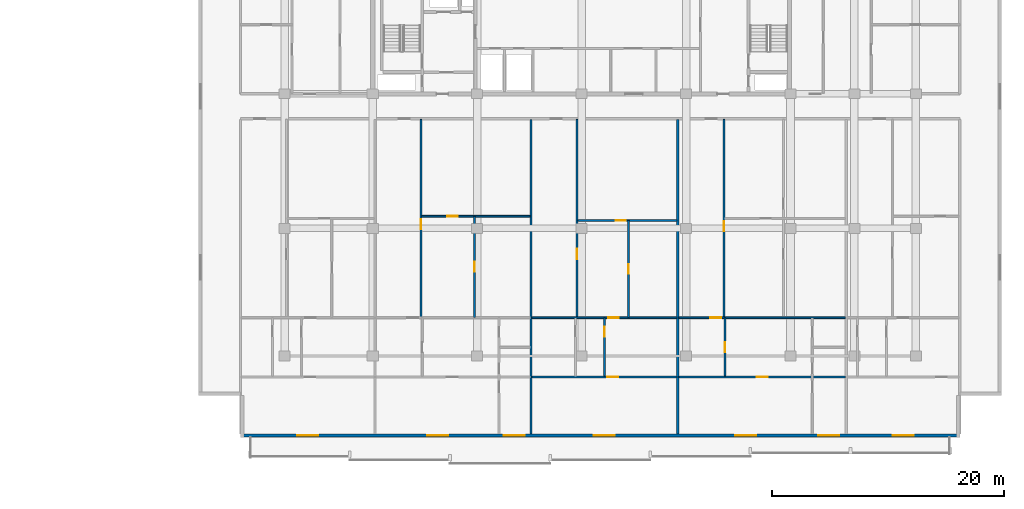
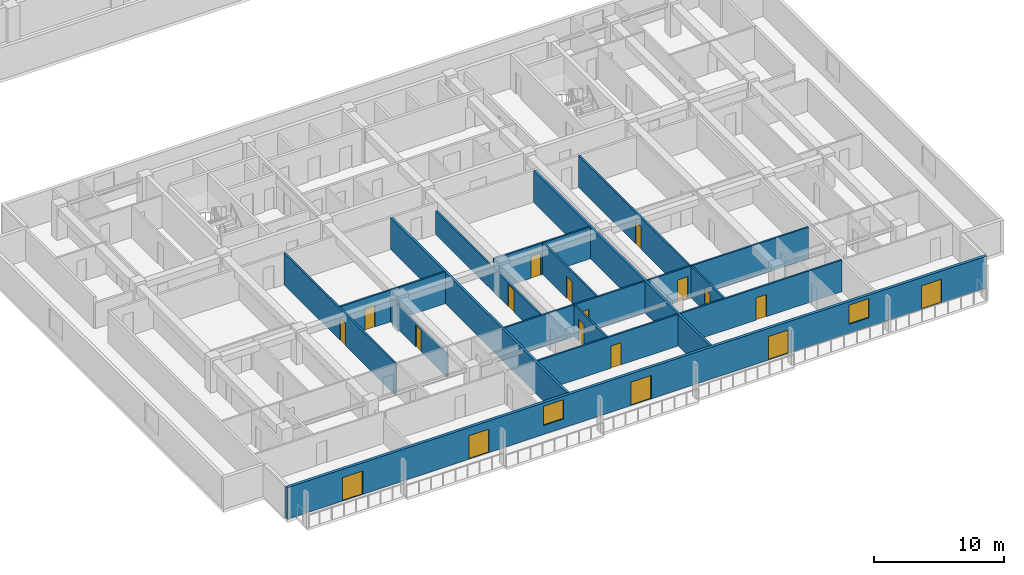
# One storey, part 5 of 24: 18 doors, 16 walls, 2 windows, 20 openings.
"""IFC4 building model written with IfcOpenShell, lengths in metres."""

import ifcopenshell
import ifcopenshell.guid

model = None  # the IFC model being written
_history = None  # IfcOwnerHistory: only IFC2X3 demands one
_inside = {}  # id of a spatial element -> (the spatial element, [elements in it])
_under = {}  # id of a project, library or spatial element -> (it, [spatial elements below it])
_declared = {}  # id of a project -> (the project, [libraries it declares])
_typed = {}  # id of a type object -> (the type object, [elements of that type])
_made_of = {}  # id of a material, layer set ... -> (it, [elements and type objects made of it])


def new_model(schema):
    """Start an empty IFC model of exactly this schema.

    Asked for "IFC4X3", IfcOpenShell would pick the latest addendum, in which some entities
    have other attributes; the version numbers below select the first issue.
    IFC2X3 requires an IfcOwnerHistory on every rooted entity: one is made here for all.
    """
    global model, _history
    if schema == "IFC4X3":
        model = ifcopenshell.file(schema_version=(4, 3, 0, 0))
    else:
        model = ifcopenshell.file(schema=schema)
    _inside.clear()
    _under.clear()
    _declared.clear()
    _typed.clear()
    _made_of.clear()
    _history = None
    if model.schema == "IFC2X3":
        org = make("IfcOrganization", Name="unknown")
        user = make(
            "IfcPersonAndOrganization",
            ThePerson=make("IfcPerson", FamilyName="unknown"),
            TheOrganization=org,
        )
        app = make(
            "IfcApplication",
            ApplicationDeveloper=org,
            Version="unknown",
            ApplicationFullName="unknown",
            ApplicationIdentifier="unknown",
        )
        _history = make(
            "IfcOwnerHistory",
            OwningUser=user,
            OwningApplication=app,
            ChangeAction="ADDED",
            CreationDate=0,
        )
    return model


def make(cls, **values):
    """One entity of the class cls with the attributes given. An attribute that is None is left unset."""
    return model.create_entity(
        cls, **{name: value for name, value in values.items() if value is not None}
    )


def rooted(cls, **values):
    """An entity with a GlobalId (a new one), such as an element, a storey or a relation."""
    return make(cls, GlobalId=ifcopenshell.guid.new(), OwnerHistory=_history, **values)


def si_unit(unit_type, name, prefix=None):
    """IfcSIUnit, for example si_unit("LENGTHUNIT", "METRE", prefix="MILLI")."""
    return make("IfcSIUnit", UnitType=unit_type, Prefix=prefix, Name=name)


def assignment(units):
    """IfcUnitAssignment: the units of a project."""
    return None if units is None else make("IfcUnitAssignment", Units=units)


def point(xyz):
    """IfcCartesianPoint."""
    return None if xyz is None else make("IfcCartesianPoint", Coordinates=xyz)


def direction(xyz):
    """IfcDirection."""
    return None if xyz is None else make("IfcDirection", DirectionRatios=xyz)


def frame(location, z_axis=None, x_axis=None):
    """IfcAxis2Placement3D, a coordinate frame: its origin and axes. An axis left out is left unset."""
    return make(
        "IfcAxis2Placement3D",
        Location=point(location),
        Axis=direction(z_axis),
        RefDirection=direction(x_axis),
    )


def frame_2d(location, x_axis=None):
    """IfcAxis2Placement2D, a coordinate frame in the plane: its origin and x axis."""
    return make(
        "IfcAxis2Placement2D", Location=point(location), RefDirection=direction(x_axis)
    )


def origin():
    """The frame at (0, 0, 0) with its axes left unset."""
    return frame((0.0, 0.0, 0.0))


def place(relative_to, where):
    """IfcLocalPlacement: puts the frame where relative to a parent placement (None: the world)."""
    return make(
        "IfcLocalPlacement", PlacementRelTo=relative_to, RelativePlacement=where
    )


def context(
    kind, dimensions, precision=None, world=None, true_north=None, identifier=None
):
    """IfcGeometricRepresentationContext, for example the 3D "Model" context."""
    return make(
        "IfcGeometricRepresentationContext",
        ContextIdentifier=identifier,
        ContextType=kind,
        CoordinateSpaceDimension=dimensions,
        Precision=precision,
        WorldCoordinateSystem=world,
        TrueNorth=true_north,
    )


def subcontext(parent, identifier, kind, view, scale=None):
    """IfcGeometricRepresentationSubContext, for example "Body" below "Model"."""
    return make(
        "IfcGeometricRepresentationSubContext",
        ContextIdentifier=identifier,
        ContextType=kind,
        ParentContext=parent,
        TargetScale=scale,
        TargetView=view,
    )


def project(units=None, contexts=None):
    """IfcProject with its units and contexts."""
    return rooted(
        "IfcProject",
        Name="project",
        RepresentationContexts=contexts,
        UnitsInContext=assignment(units),
    )


def spatial(cls, under=None, at=None, **own):
    """A site, building, storey or space (cls), placed at a placement, below another one or the project."""
    s = rooted(cls, ObjectPlacement=at, **own)
    if under is not None:
        _under.setdefault(under.id(), (under, []))[1].append(s)
    return s


def profile(cls, at=None, kind="AREA", **sizes):
    """A parametric profile (cls). Its sizes go by their IFC names, for example OverallWidth=200.0."""
    return make(cls, ProfileType=kind, Position=at, **sizes)


def rectangle(**sizes):
    """IfcRectangleProfileDef."""
    return profile("IfcRectangleProfileDef", **sizes)


def extrude(swept, where, along, depth):
    """IfcExtrudedAreaSolid: the profile swept, set in the frame where, extruded along a direction by depth."""
    return make(
        "IfcExtrudedAreaSolid",
        SweptArea=swept,
        Position=where,
        ExtrudedDirection=direction(along),
        Depth=depth,
    )


def shape(context_of_items, identifier, shape_type, items):
    """IfcShapeRepresentation: the items that make up one representation, for example the "Body"."""
    return make(
        "IfcShapeRepresentation",
        ContextOfItems=context_of_items,
        RepresentationIdentifier=identifier,
        RepresentationType=shape_type,
        Items=items,
    )


def material(Name=None, Category=None):
    """IfcMaterial."""
    return make("IfcMaterial", Name=Name, Category=Category)


def layer(
    of_material, thickness, ventilated=None, Name=None, Category=None, Priority=None
):
    """IfcMaterialLayer: one layer of a wall or slab, of a material (None: an air gap)."""
    return make(
        "IfcMaterialLayer",
        Material=of_material,
        LayerThickness=thickness,
        IsVentilated=ventilated,
        Name=Name,
        Category=Category,
        Priority=Priority,
    )


def layer_set(layers, Name=None):
    """IfcMaterialLayerSet."""
    return make("IfcMaterialLayerSet", MaterialLayers=layers, LayerSetName=Name)


def made_of(thing, what):
    """Note that an element or type object is made of a material, layer set ...; save() writes the relation."""
    if what is not None:
        _made_of.setdefault(what.id(), (what, []))[1].append(thing)
    return thing


def type_object(cls, material=None, **own):
    """A type object (cls), such as IfcWallType, which elements share."""
    return made_of(rooted(cls, **own), material)


def element(
    cls,
    number,
    at=None,
    inside=None,
    cuts=None,
    type_object=None,
    material=None,
    context=None,
    identifier="Body",
    shape_type=None,
    held_by="IfcProductDefinitionShape",
    body=None,
    shapes=None,
    **own,
):
    """One element of the class cls, such as IfcWall. Its Tag is "e" and its number.

    at: its placement. inside: the storey or other place that contains it. cuts: it is an
    opening in that element (IfcRelVoidsElement). A single representation is given by context,
    identifier, shape_type and body (its items); several are given by shapes. held_by: the class
    of the entity that holds the representations. save() writes the other relations.
    """
    e = rooted(cls, Tag="e%d" % number, ObjectPlacement=at, **own)
    if body is not None:
        shapes = [shape(context, identifier, shape_type, body)]
    if shapes is not None:
        e.Representation = make(held_by, Representations=shapes)
    if inside is not None:
        _inside.setdefault(inside.id(), (inside, []))[1].append(e)
    if cuts is not None:
        rooted(
            "IfcRelVoidsElement", RelatingBuildingElement=cuts, RelatedOpeningElement=e
        )
    if type_object is not None:
        _typed.setdefault(type_object.id(), (type_object, []))[1].append(e)
    return made_of(e, material)


def fill(opening, filler):
    """IfcRelFillsElement: the door or window that sits in an opening."""
    return rooted(
        "IfcRelFillsElement",
        RelatingOpeningElement=opening,
        RelatedBuildingElement=filler,
    )


def aggregate(whole, parts):
    """IfcRelAggregates: a whole, such as a stair, and the parts it consists of."""
    return rooted("IfcRelAggregates", RelatingObject=whole, RelatedObjects=parts)


def save(model, path):
    """Write the relations noted so far, then the file.

    IfcRelAggregates (storeys below a building ...), IfcRelContainedInSpatialStructure (elements
    in a storey), IfcRelDefinesByType, IfcRelAssociatesMaterial and IfcRelDeclares: one each for
    every whole, place, type object, material and project.
    """
    for whole, parts in _under.values():
        aggregate(whole, parts)
    for where, things in _inside.values():
        rooted(
            "IfcRelContainedInSpatialStructure",
            RelatedElements=things,
            RelatingStructure=where,
        )
    for kind, things in _typed.values():
        rooted("IfcRelDefinesByType", RelatedObjects=things, RelatingType=kind)
    for what, things in _made_of.values():
        rooted("IfcRelAssociatesMaterial", RelatedObjects=things, RelatingMaterial=what)
    for by, libraries in _declared.values():
        rooted("IfcRelDeclares", RelatingContext=by, RelatedDefinitions=libraries)
    model.write(path)


model = new_model("IFC4")

# Units and contexts
model_context = context("Model", 3, precision=1e-05, world=origin(), true_north=direction((0.0, 1.0)))
body_context = subcontext(model_context, "Body", "Model", "MODEL_VIEW")
ifc_project = project(units=[si_unit("LENGTHUNIT", "METRE"), si_unit("AREAUNIT", "SQUARE_METRE"), si_unit("VOLUMEUNIT", "CUBIC_METRE"), si_unit("PLANEANGLEUNIT", "RADIAN"), si_unit("MASSUNIT", "GRAM", prefix="KILO")], contexts=[model_context])

# Site, building, storey
site_placement = place(None, origin())
site = spatial("IfcSite", under=ifc_project, at=site_placement, CompositionType="ELEMENT")
building_placement = place(site_placement, origin())
building = spatial("IfcBuilding", under=site, at=building_placement, Name="Korimba Cascade Residences", CompositionType="ELEMENT")
storey_placement = place(building_placement, frame((0.0, 0.0, 63.0)))
storey = spatial("IfcBuildingStorey", under=building, at=storey_placement, Name="L17", CompositionType="ELEMENT", Elevation=63.0)

# Wall, openings, doors, windows
ifc_material_1 = material(Name="Precast concrete C40/50", Category="concrete")
ifc_layer_1 = layer(ifc_material_1, 0.25)
ifc_layer_set_1 = layer_set([ifc_layer_1], Name="Precast concrete C40/50")
wall_type_1 = type_object("IfcWallType", Name="EW-LOG-250", PredefinedType="STANDARD", material=ifc_layer_set_1)
wall_1_placement = place(storey_placement, frame((70.699951171875, -11.050048828125, 0.0), z_axis=(0.0, 0.0, 1.0), x_axis=(1.0, 0.0, 0.0)))
wall_1 = element("IfcWall", 1, at=wall_1_placement, inside=storey, type_object=wall_type_1, Name="L17 T2 Perimeter Stone Wall E00", PredefinedType="STANDARD", context=body_context, shape_type="SweptSolid", body=[
    extrude(rectangle(XDim=62.0, YDim=0.25, at=frame_2d((31.0, 0.0))), origin(), (0.0, 0.0, 1.0), 2.969970703125),
])
opening_1_placement = place(wall_1_placement, frame((4.894775390625, 0.0, 0.0)))
opening_1 = element("IfcOpeningElement", 2, at=opening_1_placement, cuts=wall_1, Name="Opening D-LG1", PredefinedType="OPENING", context=body_context, shape_type="SweptSolid", body=[
    extrude(rectangle(XDim=1.800048828125, YDim=2.199951171875, at=frame_2d((0.89990234375, 1.10009765625))), frame((0.0, 0.135009765625, 0.0), z_axis=(0.0, -1.0, 0.0), x_axis=(1.0, 0.0, 0.0)), (0.0, 0.0, 1.0), 0.27001953125),
])
opening_2_placement = place(wall_1_placement, frame((16.094970703125, 0.0, 0.0)))
opening_2 = element("IfcOpeningElement", 3, at=opening_2_placement, cuts=wall_1, Name="Opening D-LG1", PredefinedType="OPENING", context=body_context, shape_type="SweptSolid", body=[
    extrude(rectangle(XDim=1.800048828125, YDim=2.199951171875, at=frame_2d((0.89990234375, 1.10009765625))), frame((0.0, 0.135009765625, 0.0), z_axis=(0.0, -1.0, 0.0), x_axis=(1.0, 0.0, 0.0)), (0.0, 0.0, 1.0), 0.27001953125),
])
opening_3_placement = place(wall_1_placement, frame((22.697998046875, 0.0, 0.85009765625)))
opening_3 = element("IfcOpeningElement", 4, at=opening_3_placement, cuts=wall_1, Name="Opening W-02", PredefinedType="OPENING", context=body_context, shape_type="SweptSolid", body=[
    extrude(rectangle(XDim=1.800048828125, YDim=1.800048828125, at=frame_2d((0.89990234375, 0.89990234375))), frame((0.0, 0.135009765625, 0.0), z_axis=(0.0, -1.0, 0.0), x_axis=(1.0, 0.0, 0.0)), (0.0, 0.0, 1.0), 0.27001953125),
])
opening_4_placement = place(wall_1_placement, frame((30.465576171875, 0.0, 0.0)))
opening_4 = element("IfcOpeningElement", 5, at=opening_4_placement, cuts=wall_1, Name="Opening D-LG1", PredefinedType="OPENING", context=body_context, shape_type="SweptSolid", body=[
    extrude(rectangle(XDim=1.800048828125, YDim=2.199951171875, at=frame_2d((0.89990234375, 1.10009765625))), frame((0.0, 0.135009765625, 0.0), z_axis=(0.0, -1.0, 0.0), x_axis=(1.0, 0.0, 0.0)), (0.0, 0.0, 1.0), 0.27001953125),
])
opening_5_placement = place(wall_1_placement, frame((42.6474609375, 0.0, 0.0)))
opening_5 = element("IfcOpeningElement", 6, at=opening_5_placement, cuts=wall_1, Name="Opening D-LG1", PredefinedType="OPENING", context=body_context, shape_type="SweptSolid", body=[
    extrude(rectangle(XDim=1.800048828125, YDim=2.199951171875, at=frame_2d((0.89990234375, 1.10009765625))), frame((0.0, 0.135009765625, 0.0), z_axis=(0.0, -1.0, 0.0), x_axis=(1.0, 0.0, 0.0)), (0.0, 0.0, 1.0), 0.27001953125),
])
opening_6_placement = place(wall_1_placement, frame((49.78515625, 0.0, 0.85009765625)))
opening_6 = element("IfcOpeningElement", 7, at=opening_6_placement, cuts=wall_1, Name="Opening W-02", PredefinedType="OPENING", context=body_context, shape_type="SweptSolid", body=[
    extrude(rectangle(XDim=1.800048828125, YDim=1.800048828125, at=frame_2d((0.89990234375, 0.89990234375))), frame((0.0, 0.135009765625, 0.0), z_axis=(0.0, -1.0, 0.0), x_axis=(1.0, 0.0, 0.0)), (0.0, 0.0, 1.0), 0.27001953125),
])
opening_7_placement = place(wall_1_placement, frame((56.205078125, 0.0, 0.0)))
opening_7 = element("IfcOpeningElement", 8, at=opening_7_placement, cuts=wall_1, Name="Opening D-LG1", PredefinedType="OPENING", context=body_context, shape_type="SweptSolid", body=[
    extrude(rectangle(XDim=1.800048828125, YDim=2.199951171875, at=frame_2d((0.89990234375, 1.10009765625))), frame((0.0, 0.135009765625, 0.0), z_axis=(0.0, -1.0, 0.0), x_axis=(1.0, 0.0, 0.0)), (0.0, 0.0, 1.0), 0.27001953125),
])
ifc_material_2 = material(Name="Glazed Aluminium Loggia Sliding Door", Category="aluminium")
door_type_1 = type_object("IfcDoorType", Name="DR-EXT-LOG", OperationType="NOTDEFINED", PredefinedType="DOOR", material=ifc_material_2)
door_1_placement = place(opening_1_placement, origin())
door_1 = element("IfcDoor", 9, at=door_1_placement, inside=storey, type_object=door_type_1, Name="L17 T2 Loggia Sliding Door 3", OperationType="SLIDING_TO_RIGHT", OverallHeight=2.199951171875, OverallWidth=1.800048828125, PredefinedType="DOOR", context=body_context, shape_type="SweptSolid", body=[
    extrude(rectangle(XDim=1.800048828125, YDim=2.199951171875, at=frame_2d((0.89990234375, 1.10009765625))), frame((0.0, 0.02490234375, 0.0), z_axis=(0.0, -1.0, 0.0), x_axis=(1.0, 0.0, 0.0)), (0.0, 0.0, 1.0), 0.050048828125),
])
fill(opening_1, door_1)
door_2_placement = place(opening_2_placement, origin())
door_2 = element("IfcDoor", 10, at=door_2_placement, inside=storey, type_object=door_type_1, Name="L17 T2 Loggia Sliding Door 4", OperationType="SLIDING_TO_RIGHT", OverallHeight=2.199951171875, OverallWidth=1.800048828125, PredefinedType="DOOR", context=body_context, shape_type="SweptSolid", body=[
    extrude(rectangle(XDim=1.800048828125, YDim=2.199951171875, at=frame_2d((0.89990234375, 1.10009765625))), frame((0.0, 0.02490234375, 0.0), z_axis=(0.0, -1.0, 0.0), x_axis=(1.0, 0.0, 0.0)), (0.0, 0.0, 1.0), 0.050048828125),
])
fill(opening_2, door_2)
door_3_placement = place(opening_4_placement, origin())
door_3 = element("IfcDoor", 11, at=door_3_placement, inside=storey, type_object=door_type_1, Name="L17 T2 Loggia Sliding Door 6", OperationType="SLIDING_TO_RIGHT", OverallHeight=2.199951171875, OverallWidth=1.800048828125, PredefinedType="DOOR", context=body_context, shape_type="SweptSolid", body=[
    extrude(rectangle(XDim=1.800048828125, YDim=2.199951171875, at=frame_2d((0.89990234375, 1.10009765625))), frame((0.0, 0.02490234375, 0.0), z_axis=(0.0, -1.0, 0.0), x_axis=(1.0, 0.0, 0.0)), (0.0, 0.0, 1.0), 0.050048828125),
])
fill(opening_4, door_3)
door_4_placement = place(opening_5_placement, origin())
door_4 = element("IfcDoor", 12, at=door_4_placement, inside=storey, type_object=door_type_1, Name="L17 T2 Loggia Sliding Door 7", OperationType="SLIDING_TO_RIGHT", OverallHeight=2.199951171875, OverallWidth=1.800048828125, PredefinedType="DOOR", context=body_context, shape_type="SweptSolid", body=[
    extrude(rectangle(XDim=1.800048828125, YDim=2.199951171875, at=frame_2d((0.89990234375, 1.10009765625))), frame((0.0, 0.02490234375, 0.0), z_axis=(0.0, -1.0, 0.0), x_axis=(1.0, 0.0, 0.0)), (0.0, 0.0, 1.0), 0.050048828125),
])
fill(opening_5, door_4)
door_5_placement = place(opening_7_placement, origin())
door_5 = element("IfcDoor", 13, at=door_5_placement, inside=storey, type_object=door_type_1, Name="L17 T2 Loggia Sliding Door 9", OperationType="SLIDING_TO_RIGHT", OverallHeight=2.199951171875, OverallWidth=1.800048828125, PredefinedType="DOOR", context=body_context, shape_type="SweptSolid", body=[
    extrude(rectangle(XDim=1.800048828125, YDim=2.199951171875, at=frame_2d((0.89990234375, 1.10009765625))), frame((0.0, 0.02490234375, 0.0), z_axis=(0.0, -1.0, 0.0), x_axis=(1.0, 0.0, 0.0)), (0.0, 0.0, 1.0), 0.050048828125),
])
fill(opening_7, door_5)
ifc_material_3 = material(Name="Double-Glazed Aluminium Window", Category="aluminium")
window_type = type_object("IfcWindowType", Name="WIN-BED-1800", PartitioningType="SINGLE_PANEL", PredefinedType="WINDOW", material=ifc_material_3)
window_1_placement = place(opening_3_placement, origin())
window_1 = element("IfcWindow", 14, at=window_1_placement, inside=storey, type_object=window_type, Name="L17 T2 South Facade Window 5", OverallHeight=1.800048828125, OverallWidth=1.800048828125, PartitioningType="SINGLE_PANEL", PredefinedType="WINDOW", context=body_context, shape_type="SweptSolid", body=[
    extrude(rectangle(XDim=1.800048828125, YDim=1.800048828125, at=frame_2d((0.89990234375, 0.89990234375))), frame((0.0, 0.030029296875, 0.0), z_axis=(0.0, -1.0, 0.0), x_axis=(1.0, 0.0, 0.0)), (0.0, 0.0, 1.0), 0.06005859375),
])
fill(opening_3, window_1)
window_2_placement = place(opening_6_placement, origin())
window_2 = element("IfcWindow", 15, at=window_2_placement, inside=storey, type_object=window_type, Name="L17 T2 South Facade Window 8", OverallHeight=1.800048828125, OverallWidth=1.800048828125, PartitioningType="SINGLE_PANEL", PredefinedType="WINDOW", context=body_context, shape_type="SweptSolid", body=[
    extrude(rectangle(XDim=1.800048828125, YDim=1.800048828125, at=frame_2d((0.89990234375, 0.89990234375))), frame((0.0, 0.030029296875, 0.0), z_axis=(0.0, -1.0, 0.0), x_axis=(1.0, 0.0, 0.0)), (0.0, 0.0, 1.0), 0.06005859375),
])
fill(opening_6, window_2)

# Walls
ifc_layer_2 = layer(ifc_material_1, 0.199951171875)
ifc_layer_set_2 = layer_set([ifc_layer_2], Name="Precast concrete C40/50")
wall_type_2 = type_object("IfcWallType", Name="WAL-IT-200", PredefinedType="PARTITIONING", material=ifc_layer_set_2)
for number, where, z_axis, x_axis, name in (
    (16, (95.736328125, -10.89990234375, 0.0), (0.0, 0.0, 1.0), (0.0, 1.0, 0.0), "L17 Partition Wall WAL-L17-T2-DEM-2"),
    (17, (108.39501953125, -10.89990234375, 0.0), (0.0, 0.0, 1.0), (0.0, 1.0, 0.0), "L17 Partition Wall WAL-L17-T2-DEM-3"),
):
    element("IfcWall", number, at=place(storey_placement, frame(where, z_axis=z_axis, x_axis=x_axis)), inside=storey, type_object=wall_type_2, Name=name, PredefinedType="PARTITIONING", context=body_context, shape_type="SweptSolid", body=[
        extrude(rectangle(XDim=27.06982421875, YDim=0.199951171875, at=frame_2d((13.534912109375, 0.0))), origin(), (0.0, 0.0, 1.0), 2.969970703125),
    ])

# Wall, opening, door
ifc_material_4 = material(Name="Insulated Acoustic Stud Partition", Category="gypsum")
ifc_layer_3 = layer(ifc_material_4, 0.14990234375)
ifc_layer_set_3 = layer_set([ifc_layer_3], Name="Insulated Acoustic Stud Partition")
wall_type_3 = type_object("IfcWallType", Name="WAL-PART-150", PredefinedType="PARTITIONING", material=ifc_layer_set_3)
wall_2_placement = place(storey_placement, frame((90.867919921875, -0.860107421875, 0.0), z_axis=(0.0, 0.0, 1.0), x_axis=(0.0, 1.0, 0.0)))
wall_2 = element("IfcWall", 18, at=wall_2_placement, inside=storey, type_object=wall_type_3, Name="L17 Partition Wall WAL-L17-T2-U02-FMV", PredefinedType="PARTITIONING", context=body_context, shape_type="SweptSolid", body=[
    extrude(rectangle(XDim=8.705078125, YDim=0.14990234375, at=frame_2d((4.3525390625, 0.0))), origin(), (0.0, 0.0, 1.0), 2.219970703125),
])
opening_8_placement = place(wall_2_placement, frame((3.9326171875, 0.0, 0.0)))
opening_8 = element("IfcOpeningElement", 19, at=opening_8_placement, cuts=wall_2, Name="Opening D-BT1", PredefinedType="OPENING", context=body_context, shape_type="SweptSolid", body=[
    extrude(rectangle(XDim=0.840087890625, YDim=2.0400390625, at=frame_2d((0.419921875, 1.02001953125))), frame((0.0, 0.0849609375, 0.0), z_axis=(0.0, -1.0, 0.0), x_axis=(1.0, 0.0, 0.0)), (0.0, 0.0, 1.0), 0.169921875),
])
ifc_material_5 = material(Name="Moisture-Resistant Bathroom Timber Door", Category="wood")
door_type_2 = type_object("IfcDoorType", Name="DR-INT-850", OperationType="NOTDEFINED", PredefinedType="DOOR", material=ifc_material_5)
door_6_placement = place(opening_8_placement, origin())
door_6 = element("IfcDoor", 20, at=door_6_placement, inside=storey, type_object=door_type_2, Name="L17-T2-U02 Wardrobe Door", OperationType="SINGLE_SWING_LEFT", OverallHeight=2.0400390625, OverallWidth=0.840087890625, PredefinedType="DOOR", context=body_context, shape_type="SweptSolid", body=[
    extrude(rectangle(XDim=0.840087890625, YDim=2.0400390625, at=frame_2d((0.419921875, 1.02001953125))), frame((0.0, 0.02490234375, 0.0), z_axis=(0.0, -1.0, 0.0), x_axis=(1.0, 0.0, 0.0)), (0.0, 0.0, 1.0), 0.050048828125),
])
fill(opening_8, door_6)

wall_3_placement = place(storey_placement, frame((86.319580078125, 7.844970703125, 0.0), z_axis=(0.0, 0.0, 1.0), x_axis=(1.0, 0.0, 0.0)))
wall_3 = element("IfcWall", 21, at=wall_3_placement, inside=storey, type_object=wall_type_3, Name="L17 Partition Wall WAL-L17-T2-U02-FMH", PredefinedType="PARTITIONING", context=body_context, shape_type="SweptSolid", body=[
    extrude(rectangle(XDim=9.336669921875, YDim=0.14990234375, at=frame_2d((4.66845703125, 0.0))), origin(), (0.0, 0.0, 1.0), 2.969970703125),
])
opening_9_placement = place(wall_3_placement, frame((2.208984375, 0.0, 0.0)))
opening_9 = element("IfcOpeningElement", 22, at=opening_9_placement, cuts=wall_3, Name="Opening D-IN2", PredefinedType="OPENING", context=body_context, shape_type="SweptSolid", body=[
    extrude(rectangle(XDim=0.8798828125, YDim=2.06005859375, at=frame_2d((0.43994140625, 1.030029296875))), frame((0.0, 0.0849609375, 0.0), z_axis=(0.0, -1.0, 0.0), x_axis=(1.0, 0.0, 0.0)), (0.0, 0.0, 1.0), 0.169921875),
])
ifc_material_6 = material(Name="Acoustic Timber Bedroom Door", Category="wood")
door_type_3 = type_object("IfcDoorType", Name="DR-INT-880", OperationType="NOTDEFINED", PredefinedType="DOOR", material=ifc_material_6)
door_7_placement = place(opening_9_placement, origin())
door_7 = element("IfcDoor", 23, at=door_7_placement, inside=storey, type_object=door_type_3, Name="L17-T2-U02 Library Salon Door", OperationType="SINGLE_SWING_RIGHT", OverallHeight=2.06005859375, OverallWidth=0.8798828125, PredefinedType="DOOR", context=body_context, shape_type="SweptSolid", body=[
    extrude(rectangle(XDim=0.8798828125, YDim=2.06005859375, at=frame_2d((0.43994140625, 1.030029296875))), frame((0.0, 0.02490234375, 0.0), z_axis=(0.0, -1.0, 0.0), x_axis=(1.0, 0.0, 0.0)), (0.0, 0.0, 1.0), 0.050048828125),
])
fill(opening_9, door_7)

wall_4_placement = place(storey_placement, frame((86.259765625, -0.860107421875, 0.0), z_axis=(0.0, 0.0, 1.0), x_axis=(0.0, 1.0, 0.0)))
wall_4 = element("IfcWall", 24, at=wall_4_placement, inside=storey, type_object=wall_type_3, Name="L17 Partition Wall WAL-L17-T2-U02-FV", PredefinedType="PARTITIONING", context=body_context, shape_type="SweptSolid", body=[
    extrude(rectangle(XDim=17.050048828125, YDim=0.14990234375, at=frame_2d((8.52490234375, 0.0))), origin(), (0.0, 0.0, 1.0), 2.969970703125),
])
opening_10_placement = place(wall_4_placement, frame((7.574951171875, 0.0, 0.0)))
opening_10 = element("IfcOpeningElement", 25, at=opening_10_placement, cuts=wall_4, Name="Opening D-IN2", PredefinedType="OPENING", context=body_context, shape_type="SweptSolid", body=[
    extrude(rectangle(XDim=0.8798828125, YDim=2.06005859375, at=frame_2d((0.43994140625, 1.030029296875))), frame((0.0, 0.0849609375, 0.0), z_axis=(0.0, -1.0, 0.0), x_axis=(1.0, 0.0, 0.0)), (0.0, 0.0, 1.0), 0.169921875),
])
door_8_placement = place(opening_10_placement, origin())
door_8 = element("IfcDoor", 26, at=door_8_placement, inside=storey, type_object=door_type_3, Name="L17-T2-U02 Media Lounge Door", OperationType="SINGLE_SWING_LEFT", OverallHeight=2.06005859375, OverallWidth=0.8798828125, PredefinedType="DOOR", context=body_context, shape_type="SweptSolid", body=[
    extrude(rectangle(XDim=0.8798828125, YDim=2.06005859375, at=frame_2d((0.43994140625, 1.030029296875))), frame((0.0, 0.02490234375, 0.0), z_axis=(0.0, -1.0, 0.0), x_axis=(1.0, 0.0, 0.0)), (0.0, 0.0, 1.0), 0.050048828125),
])
fill(opening_10, door_8)

wall_5_placement = place(storey_placement, frame((104.140625, -0.860107421875, 0.0), z_axis=(0.0, 0.0, 1.0), x_axis=(0.0, 1.0, 0.0)))
wall_5 = element("IfcWall", 27, at=wall_5_placement, inside=storey, type_object=wall_type_3, Name="L17 Partition Wall WAL-L17-T2-U03-FMV", PredefinedType="PARTITIONING", context=body_context, shape_type="SweptSolid", body=[
    extrude(rectangle(XDim=8.34521484375, YDim=0.14990234375, at=frame_2d((4.172607421875, 0.0))), origin(), (0.0, 0.0, 1.0), 2.969970703125),
])
opening_11_placement = place(wall_5_placement, frame((3.75244140625, 0.0, 0.0)))
opening_11 = element("IfcOpeningElement", 28, at=opening_11_placement, cuts=wall_5, Name="Opening D-BT1", PredefinedType="OPENING", context=body_context, shape_type="SweptSolid", body=[
    extrude(rectangle(XDim=0.840087890625, YDim=2.0400390625, at=frame_2d((0.419921875, 1.02001953125))), frame((0.0, 0.0849609375, 0.0), z_axis=(0.0, -1.0, 0.0), x_axis=(1.0, 0.0, 0.0)), (0.0, 0.0, 1.0), 0.169921875),
])
door_9_placement = place(opening_11_placement, origin())
door_9 = element("IfcDoor", 29, at=door_9_placement, inside=storey, type_object=door_type_2, Name="L17-T2-U03 Wardrobe Door", OperationType="SINGLE_SWING_RIGHT", OverallHeight=2.0400390625, OverallWidth=0.840087890625, PredefinedType="DOOR", context=body_context, shape_type="SweptSolid", body=[
    extrude(rectangle(XDim=0.840087890625, YDim=2.0400390625, at=frame_2d((0.419921875, 1.02001953125))), frame((0.0, 0.02490234375, 0.0), z_axis=(0.0, -1.0, 0.0), x_axis=(1.0, 0.0, 0.0)), (0.0, 0.0, 1.0), 0.050048828125),
])
fill(opening_11, door_9)

wall_6_placement = place(storey_placement, frame((99.766357421875, 7.485107421875, 0.0), z_axis=(0.0, 0.0, 1.0), x_axis=(1.0, 0.0, 0.0)))
wall_6 = element("IfcWall", 30, at=wall_6_placement, inside=storey, type_object=wall_type_3, Name="L17 Partition Wall WAL-L17-T2-U03-FMH", PredefinedType="PARTITIONING", context=body_context, shape_type="SweptSolid", body=[
    extrude(rectangle(XDim=8.548583984375, YDim=0.14990234375, at=frame_2d((4.2744140625, 0.0))), origin(), (0.0, 0.0, 1.0), 2.969970703125),
])
opening_12_placement = place(wall_6_placement, frame((3.2744140625, 0.0, 0.0)))
opening_12 = element("IfcOpeningElement", 31, at=opening_12_placement, cuts=wall_6, Name="Opening D-IN2", PredefinedType="OPENING", context=body_context, shape_type="SweptSolid", body=[
    extrude(rectangle(XDim=0.8798828125, YDim=2.06005859375, at=frame_2d((0.43994140625, 1.030029296875))), frame((0.0, 0.0849609375, 0.0), z_axis=(0.0, -1.0, 0.0), x_axis=(1.0, 0.0, 0.0)), (0.0, 0.0, 1.0), 0.169921875),
])
door_10_placement = place(opening_12_placement, origin())
door_10 = element("IfcDoor", 32, at=door_10_placement, inside=storey, type_object=door_type_3, Name="L17-T2-U03 Library Salon Door", OperationType="SINGLE_SWING_LEFT", OverallHeight=2.06005859375, OverallWidth=0.8798828125, PredefinedType="DOOR", context=body_context, shape_type="SweptSolid", body=[
    extrude(rectangle(XDim=0.8798828125, YDim=2.06005859375, at=frame_2d((0.43994140625, 1.030029296875))), frame((0.0, 0.02490234375, 0.0), z_axis=(0.0, -1.0, 0.0), x_axis=(1.0, 0.0, 0.0)), (0.0, 0.0, 1.0), 0.050048828125),
])
fill(opening_12, door_10)

wall_7_placement = place(storey_placement, frame((99.706298828125, -0.860107421875, 0.0), z_axis=(0.0, 0.0, 1.0), x_axis=(0.0, 1.0, 0.0)))
wall_7 = element("IfcWall", 33, at=wall_7_placement, inside=storey, type_object=wall_type_3, Name="L17 Partition Wall WAL-L17-T2-U03-FV", PredefinedType="PARTITIONING", context=body_context, shape_type="SweptSolid", body=[
    extrude(rectangle(XDim=17.050048828125, YDim=0.14990234375, at=frame_2d((8.52490234375, 0.0))), origin(), (0.0, 0.0, 1.0), 2.219970703125),
])
opening_13_placement = place(wall_7_placement, frame((5.018310546875, 0.0, 0.0)))
opening_13 = element("IfcOpeningElement", 34, at=opening_13_placement, cuts=wall_7, Name="Opening D-IN2", PredefinedType="OPENING", context=body_context, shape_type="SweptSolid", body=[
    extrude(rectangle(XDim=0.8798828125, YDim=2.06005859375, at=frame_2d((0.43994140625, 1.030029296875))), frame((0.0, 0.0849609375, 0.0), z_axis=(0.0, -1.0, 0.0), x_axis=(1.0, 0.0, 0.0)), (0.0, 0.0, 1.0), 0.169921875),
])
door_11_placement = place(opening_13_placement, origin())
door_11 = element("IfcDoor", 35, at=door_11_placement, inside=storey, type_object=door_type_3, Name="L17-T2-U03 Media Lounge Door", OperationType="SINGLE_SWING_RIGHT", OverallHeight=2.06005859375, OverallWidth=0.8798828125, PredefinedType="DOOR", context=body_context, shape_type="SweptSolid", body=[
    extrude(rectangle(XDim=0.8798828125, YDim=2.06005859375, at=frame_2d((0.43994140625, 1.030029296875))), frame((0.0, 0.02490234375, 0.0), z_axis=(0.0, -1.0, 0.0), x_axis=(1.0, 0.0, 0.0)), (0.0, 0.0, 1.0), 0.050048828125),
])
fill(opening_13, door_11)

wall_8_placement = place(storey_placement, frame((102.074951171875, -5.93994140625, 0.0), z_axis=(0.0, 0.0, 1.0), x_axis=(0.0, 1.0, 0.0)))
wall_8 = element("IfcWall", 36, at=wall_8_placement, inside=storey, type_object=wall_type_3, Name="L17 Partition Wall WAL-L17-T2-U03-BM", PredefinedType="PARTITIONING", context=body_context, shape_type="SweptSolid", body=[
    extrude(rectangle(XDim=5.0, YDim=0.14990234375, at=frame_2d((2.5, 0.0))), origin(), (0.0, 0.0, 1.0), 2.969970703125),
])
opening_14_placement = place(wall_8_placement, frame((3.424072265625, 0.0, 0.0)))
opening_14 = element("IfcOpeningElement", 37, at=opening_14_placement, cuts=wall_8, Name="Opening D-BT1", PredefinedType="OPENING", context=body_context, shape_type="SweptSolid", body=[
    extrude(rectangle(XDim=0.840087890625, YDim=2.0400390625, at=frame_2d((0.419921875, 1.02001953125))), frame((0.0, 0.0849609375, 0.0), z_axis=(0.0, -1.0, 0.0), x_axis=(1.0, 0.0, 0.0)), (0.0, 0.0, 1.0), 0.169921875),
])
door_12_placement = place(opening_14_placement, origin())
door_12 = element("IfcDoor", 38, at=door_12_placement, inside=storey, type_object=door_type_2, Name="L17-T2-U03 Bathroom Door", OperationType="SINGLE_SWING_RIGHT", OverallHeight=2.0400390625, OverallWidth=0.840087890625, PredefinedType="DOOR", context=body_context, shape_type="SweptSolid", body=[
    extrude(rectangle(XDim=0.840087890625, YDim=2.0400390625, at=frame_2d((0.419921875, 1.02001953125))), frame((0.0, 0.02490234375, 0.0), z_axis=(0.0, -1.0, 0.0), x_axis=(1.0, 0.0, 0.0)), (0.0, 0.0, 1.0), 0.050048828125),
])
fill(opening_14, door_12)

wall_9_placement = place(storey_placement, frame((95.81640625, -0.89990234375, 0.0), z_axis=(0.0, 0.0, 1.0), x_axis=(1.0, 0.0, 0.0)))
wall_9 = element("IfcWall", 39, at=wall_9_placement, inside=storey, type_object=wall_type_3, Name="L17 Partition Wall WAL-L17-T2-U03-MW", PredefinedType="PARTITIONING", context=body_context, shape_type="SweptSolid", body=[
    extrude(rectangle(XDim=12.49853515625, YDim=0.14990234375, at=frame_2d((6.249267578125, 0.0))), origin(), (0.0, 0.0, 1.0), 2.969970703125),
])
opening_15_placement = place(wall_9_placement, frame((6.57470703125, 0.0, 0.0)))
opening_15 = element("IfcOpeningElement", 40, at=opening_15_placement, cuts=wall_9, Name="Opening D-IN1", PredefinedType="OPENING", context=body_context, shape_type="SweptSolid", body=[
    extrude(rectangle(XDim=0.919921875, YDim=2.080078125, at=frame_2d((0.4599609375, 1.0400390625))), frame((0.0, 0.0849609375, 0.0), z_axis=(0.0, -1.0, 0.0), x_axis=(1.0, 0.0, 0.0)), (0.0, 0.0, 1.0), 0.169921875),
])
ifc_material_7 = material(Name="Acoustic Timber Living Door", Category="wood")
door_type_4 = type_object("IfcDoorType", Name="DR-INT-920", OperationType="NOTDEFINED", PredefinedType="DOOR", material=ifc_material_7)
door_13_placement = place(opening_15_placement, origin())
door_13 = element("IfcDoor", 41, at=door_13_placement, inside=storey, type_object=door_type_4, Name="L17-T2-U03 Studio Kitchen Door", OperationType="SINGLE_SWING_LEFT", OverallHeight=2.080078125, OverallWidth=0.919921875, PredefinedType="DOOR", context=body_context, shape_type="SweptSolid", body=[
    extrude(rectangle(XDim=0.919921875, YDim=2.080078125, at=frame_2d((0.4599609375, 1.0400390625))), frame((0.0, 0.02490234375, 0.0), z_axis=(0.0, -1.0, 0.0), x_axis=(1.0, 0.0, 0.0)), (0.0, 0.0, 1.0), 0.050048828125),
])
fill(opening_15, door_13)

wall_10_placement = place(storey_placement, frame((95.81640625, -6.0, 0.0), z_axis=(0.0, 0.0, 1.0), x_axis=(1.0, 0.0, 0.0)))
wall_10 = element("IfcWall", 42, at=wall_10_placement, inside=storey, type_object=wall_type_3, Name="L17 Partition Wall WAL-L17-T2-U03-HZ", PredefinedType="PARTITIONING", context=body_context, shape_type="SweptSolid", body=[
    extrude(rectangle(XDim=12.49853515625, YDim=0.14990234375, at=frame_2d((6.249267578125, 0.0))), origin(), (0.0, 0.0, 1.0), 2.969970703125),
])
opening_16_placement = place(wall_10_placement, frame((6.508544921875, 0.0, 0.0)))
opening_16 = element("IfcOpeningElement", 43, at=opening_16_placement, cuts=wall_10, Name="Opening D-IN1", PredefinedType="OPENING", context=body_context, shape_type="SweptSolid", body=[
    extrude(rectangle(XDim=0.919921875, YDim=2.080078125, at=frame_2d((0.4599609375, 1.0400390625))), frame((0.0, 0.0849609375, 0.0), z_axis=(0.0, -1.0, 0.0), x_axis=(1.0, 0.0, 0.0)), (0.0, 0.0, 1.0), 0.169921875),
])
door_14_placement = place(opening_16_placement, origin())
door_14 = element("IfcDoor", 44, at=door_14_placement, inside=storey, type_object=door_type_4, Name="L17-T2-U03 Studio Door", OperationType="SINGLE_SWING_RIGHT", OverallHeight=2.080078125, OverallWidth=0.919921875, PredefinedType="DOOR", context=body_context, shape_type="SweptSolid", body=[
    extrude(rectangle(XDim=0.919921875, YDim=2.080078125, at=frame_2d((0.4599609375, 1.0400390625))), frame((0.0, 0.02490234375, 0.0), z_axis=(0.0, -1.0, 0.0), x_axis=(1.0, 0.0, 0.0)), (0.0, 0.0, 1.0), 0.050048828125),
])
fill(opening_16, door_14)

wall_11_placement = place(storey_placement, frame((112.364990234375, -0.860107421875, 0.0), z_axis=(0.0, 0.0, 1.0), x_axis=(0.0, 1.0, 0.0)))
wall_11 = element("IfcWall", 45, at=wall_11_placement, inside=storey, type_object=wall_type_3, Name="L17 Partition Wall WAL-L17-T2-U04-FV", PredefinedType="PARTITIONING", context=body_context, shape_type="SweptSolid", body=[
    extrude(rectangle(XDim=17.050048828125, YDim=0.14990234375, at=frame_2d((8.52490234375, 0.0))), origin(), (0.0, 0.0, 1.0), 2.969970703125),
])
opening_17_placement = place(wall_11_placement, frame((7.39501953125, 0.0, 0.0)))
opening_17 = element("IfcOpeningElement", 46, at=opening_17_placement, cuts=wall_11, Name="Opening D-IN2", PredefinedType="OPENING", context=body_context, shape_type="SweptSolid", body=[
    extrude(rectangle(XDim=0.8798828125, YDim=2.06005859375, at=frame_2d((0.43994140625, 1.030029296875))), frame((0.0, 0.0849609375, 0.0), z_axis=(0.0, -1.0, 0.0), x_axis=(1.0, 0.0, 0.0)), (0.0, 0.0, 1.0), 0.169921875),
])
door_15_placement = place(opening_17_placement, origin())
door_15 = element("IfcDoor", 47, at=door_15_placement, inside=storey, type_object=door_type_3, Name="L17-T2-U04 Media Lounge Door", OperationType="SINGLE_SWING_RIGHT", OverallHeight=2.06005859375, OverallWidth=0.8798828125, PredefinedType="DOOR", context=body_context, shape_type="SweptSolid", body=[
    extrude(rectangle(XDim=0.8798828125, YDim=2.06005859375, at=frame_2d((0.43994140625, 1.030029296875))), frame((0.0, 0.02490234375, 0.0), z_axis=(0.0, -1.0, 0.0), x_axis=(1.0, 0.0, 0.0)), (0.0, 0.0, 1.0), 0.050048828125),
])
fill(opening_17, door_15)

wall_12_placement = place(storey_placement, frame((112.46484375, -5.93994140625, 0.0), z_axis=(0.0, 0.0, 1.0), x_axis=(0.0, 1.0, 0.0)))
wall_12 = element("IfcWall", 48, at=wall_12_placement, inside=storey, type_object=wall_type_3, Name="L17 Partition Wall WAL-L17-T2-U04-VDIN", PredefinedType="PARTITIONING", context=body_context, shape_type="SweptSolid", body=[
    extrude(rectangle(XDim=5.0, YDim=0.14990234375, at=frame_2d((2.5, 0.0))), origin(), (0.0, 0.0, 1.0), 2.969970703125),
])
opening_18_placement = place(wall_12_placement, frame((2.06005859375, 0.0, 0.0)))
opening_18 = element("IfcOpeningElement", 49, at=opening_18_placement, cuts=wall_12, Name="Opening D-IN2", PredefinedType="OPENING", context=body_context, shape_type="SweptSolid", body=[
    extrude(rectangle(XDim=0.8798828125, YDim=2.06005859375, at=frame_2d((0.43994140625, 1.030029296875))), frame((0.0, 0.0849609375, 0.0), z_axis=(0.0, -1.0, 0.0), x_axis=(1.0, 0.0, 0.0)), (0.0, 0.0, 1.0), 0.169921875),
])
door_16_placement = place(opening_18_placement, origin())
door_16 = element("IfcDoor", 50, at=door_16_placement, inside=storey, type_object=door_type_3, Name="L17-T2-U04 Dining Room Door", OperationType="SINGLE_SWING_LEFT", OverallHeight=2.06005859375, OverallWidth=0.8798828125, PredefinedType="DOOR", context=body_context, shape_type="SweptSolid", body=[
    extrude(rectangle(XDim=0.8798828125, YDim=2.06005859375, at=frame_2d((0.43994140625, 1.030029296875))), frame((0.0, 0.02490234375, 0.0), z_axis=(0.0, -1.0, 0.0), x_axis=(1.0, 0.0, 0.0)), (0.0, 0.0, 1.0), 0.050048828125),
])
fill(opening_18, door_16)

wall_13_placement = place(storey_placement, frame((108.474853515625, -0.89990234375, 0.0), z_axis=(0.0, 0.0, 1.0), x_axis=(1.0, 0.0, 0.0)))
wall_13 = element("IfcWall", 51, at=wall_13_placement, inside=storey, type_object=wall_type_3, Name="L17 Partition Wall WAL-L17-T2-U04-MW", PredefinedType="PARTITIONING", context=body_context, shape_type="SweptSolid", body=[
    extrude(rectangle(XDim=14.35546875, YDim=0.14990234375, at=frame_2d((7.177734375, 0.0))), origin(), (0.0, 0.0, 1.0), 2.969970703125),
])
opening_19_placement = place(wall_13_placement, frame((2.719970703125, 0.0, 0.0)))
opening_19 = element("IfcOpeningElement", 52, at=opening_19_placement, cuts=wall_13, Name="Opening D-IN1", PredefinedType="OPENING", context=body_context, shape_type="SweptSolid", body=[
    extrude(rectangle(XDim=0.919921875, YDim=2.080078125, at=frame_2d((0.4599609375, 1.0400390625))), frame((0.0, 0.0849609375, 0.0), z_axis=(0.0, -1.0, 0.0), x_axis=(1.0, 0.0, 0.0)), (0.0, 0.0, 1.0), 0.169921875),
])
door_17_placement = place(opening_19_placement, origin())
door_17 = element("IfcDoor", 53, at=door_17_placement, inside=storey, type_object=door_type_4, Name="L17-T2-U04 Kitchen Archway Door", OperationType="SINGLE_SWING_LEFT", OverallHeight=2.080078125, OverallWidth=0.919921875, PredefinedType="DOOR", context=body_context, shape_type="SweptSolid", body=[
    extrude(rectangle(XDim=0.919921875, YDim=2.080078125, at=frame_2d((0.4599609375, 1.0400390625))), frame((0.0, 0.02490234375, 0.0), z_axis=(0.0, -1.0, 0.0), x_axis=(1.0, 0.0, 0.0)), (0.0, 0.0, 1.0), 0.050048828125),
])
fill(opening_19, door_17)

wall_14_placement = place(storey_placement, frame((108.474853515625, -6.0, 0.0), z_axis=(0.0, 0.0, 1.0), x_axis=(1.0, 0.0, 0.0)))
wall_14 = element("IfcWall", 54, at=wall_14_placement, inside=storey, type_object=wall_type_3, Name="L17 Partition Wall WAL-L17-T2-U04-HZ", PredefinedType="PARTITIONING", context=body_context, shape_type="SweptSolid", body=[
    extrude(rectangle(XDim=14.35546875, YDim=0.14990234375, at=frame_2d((7.177734375, 0.0))), origin(), (0.0, 0.0, 1.0), 2.969970703125),
])
opening_20_placement = place(wall_14_placement, frame((6.707763671875, 0.0, 0.0)))
opening_20 = element("IfcOpeningElement", 55, at=opening_20_placement, cuts=wall_14, Name="Opening D-IN0", PredefinedType="OPENING", context=body_context, shape_type="SweptSolid", body=[
    extrude(rectangle(XDim=0.93994140625, YDim=2.10009765625, at=frame_2d((0.469970703125, 1.050048828125))), frame((0.0, 0.0849609375, 0.0), z_axis=(0.0, -1.0, 0.0), x_axis=(1.0, 0.0, 0.0)), (0.0, 0.0, 1.0), 0.169921875),
])
ifc_material_8 = material(Name="Acoustic Timber Living Archway Door", Category="wood")
door_type_5 = type_object("IfcDoorType", Name="DR-INT-950", OperationType="NOTDEFINED", PredefinedType="DOOR", material=ifc_material_8)
door_18_placement = place(opening_20_placement, origin())
door_18 = element("IfcDoor", 56, at=door_18_placement, inside=storey, type_object=door_type_5, Name="L17-T2-U04 Living Archway Door", OperationType="SINGLE_SWING_RIGHT", OverallHeight=2.10009765625, OverallWidth=0.93994140625, PredefinedType="DOOR", context=body_context, shape_type="SweptSolid", body=[
    extrude(rectangle(XDim=0.93994140625, YDim=2.10009765625, at=frame_2d((0.469970703125, 1.050048828125))), frame((0.0, 0.02490234375, 0.0), z_axis=(0.0, -1.0, 0.0), x_axis=(1.0, 0.0, 0.0)), (0.0, 0.0, 1.0), 0.050048828125),
])
fill(opening_20, door_18)

save(model, "model.ifc")
